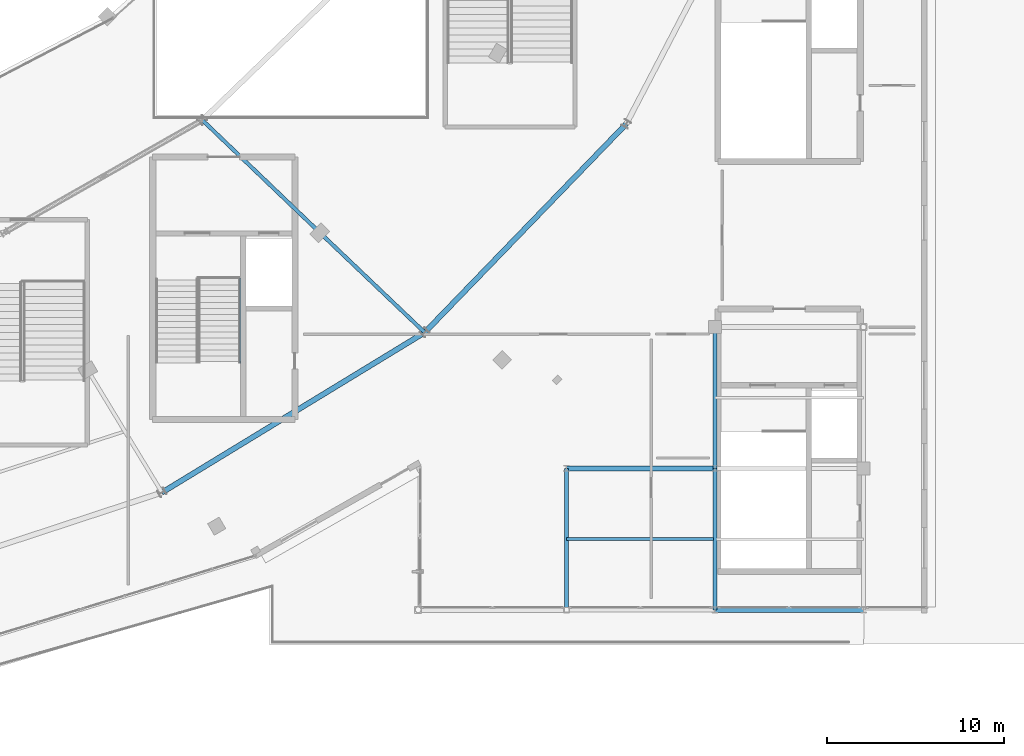
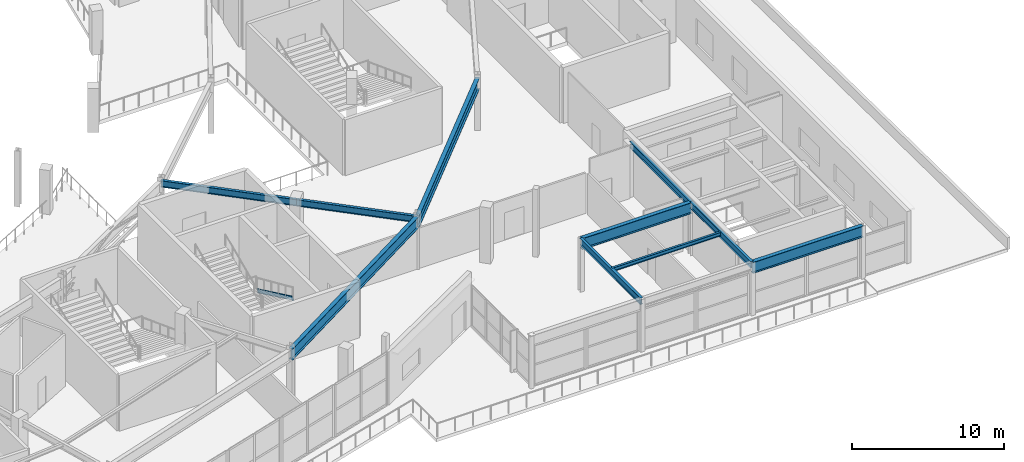
# One storey, part 61 of 123: 10 beams, 1 member.
"""IFC4 building model written with IfcOpenShell, lengths in metres."""

from ifc_helpers import new_model, si_unit, direction, frame, origin, origin_2d, place, context, subcontext, project, spatial, i_section, extrude, material, material_profile, profile_set, type_object, element, save


model = new_model("IFC4")

# Units and contexts
model_context = context("Model", 3, precision=1e-05, world=origin(), true_north=direction((0.0, 1.0)))
body_context = subcontext(model_context, "Body", "Model", "MODEL_VIEW")
ifc_project = project(units=[si_unit("LENGTHUNIT", "METRE"), si_unit("AREAUNIT", "SQUARE_METRE"), si_unit("VOLUMEUNIT", "CUBIC_METRE"), si_unit("PLANEANGLEUNIT", "RADIAN"), si_unit("MASSUNIT", "GRAM", prefix="KILO")], contexts=[model_context])

# Site, building, storey
site_placement = place(None, origin())
site = spatial("IfcSite", under=ifc_project, at=site_placement, CompositionType="ELEMENT")
building_placement = place(site_placement, origin())
building = spatial("IfcBuilding", under=site, at=building_placement, Name="Kalgoora Escarpment Arena", CompositionType="ELEMENT")
storey_placement = place(building_placement, frame((0.0, 0.0, 9.89990234375)))
storey = spatial("IfcBuildingStorey", under=building, at=storey_placement, Name="L02", CompositionType="ELEMENT", Elevation=9.89990234375)

# Beams
ifc_material_1 = material(Name="Structural steel AS/NZS 3679 (300 MPa)", Category="steel")
ifc_material_profile_1 = material_profile(ifc_material_1, i_section(OverallWidth=0.208984375, OverallDepth=0.528076171875, WebThickness=0.009521484375, FlangeThickness=0.01318359375, at=origin_2d()))
ifc_profile_set_1 = profile_set([ifc_material_profile_1], Name="Structural steel AS/NZS 3679 (300 MPa)")
beam_type_1 = type_object("IfcBeamType", Name="BM-GIRDER-530UB82.0", PredefinedType="USERDEFINED", material=ifc_profile_set_1)
for number, where, z_axis, x_axis, name in (
    (1, (151.199951171875, 8.0, 3.99609375), (0.0, 1.0, 0.0), (-1.0, 0.0, 0.0), "L02 Floor girder 530UB82.0"),
    (2, (159.60009765625, 8.0, 3.99609375), (0.0, 1.0, 0.0), (-1.0, 0.0, 0.0), "L02 Floor girder 530UB82.0"),
    (3, (159.60009765625, 16.0, 3.99609375), (0.0, 1.0, 0.0), (-1.0, 0.0, 0.0), "L02 Floor girder 530UB82.0"),
):
    element("IfcBeam", number, at=place(storey_placement, frame(where, z_axis=z_axis, x_axis=x_axis)), inside=storey, type_object=beam_type_1, Name=name, ObjectType="GIRDER", PredefinedType="USERDEFINED", context=body_context, shape_type="SweptSolid", body=[
        extrude(i_section(OverallWidth=0.208984375, OverallDepth=0.528076171875, WebThickness=0.009521484375, FlangeThickness=0.01318359375, at=origin_2d()), origin(), (0.0, 0.0, 1.0), 8.0),
    ])
beam_1_placement = place(storey_placement, frame((130.583740234375, 35.7158203125, 3.916015625), z_axis=(0.722313931554, -0.691565314546, 0.0), x_axis=(0.691565314546, 0.722313931554, 0.0)))
element("IfcBeam", 4, at=beam_1_placement, inside=storey, type_object=beam_type_1, Name="L02 Radial concourse girder 530UB82.0", ObjectType="GIRDER", PredefinedType="USERDEFINED", context=body_context, shape_type="SweptSolid", body=[
    extrude(i_section(OverallWidth=0.208984375, OverallDepth=0.528076171875, WebThickness=0.009521484375, FlangeThickness=0.01318359375, at=origin_2d()), origin(), (0.0, 0.0, 1.0), 9.202392578125),
])
beam_2_placement = place(storey_placement, frame((137.230712890625, 29.351806640625, 3.916015625), z_axis=(0.724130144905, -0.689663347757, 0.0), x_axis=(0.689663347757, 0.724130144905, 0.0)))
element("IfcBeam", 5, at=beam_2_placement, inside=storey, type_object=beam_type_1, Name="L02 Radial concourse girder 530UB82.0", ObjectType="GIRDER", PredefinedType="USERDEFINED", context=body_context, shape_type="SweptSolid", body=[
    extrude(i_section(OverallWidth=0.208984375, OverallDepth=0.528076171875, WebThickness=0.009521484375, FlangeThickness=0.01318359375, at=origin_2d()), origin(), (0.0, 0.0, 1.0), 8.20263671875),
])
ifc_material_2 = material(Name="Structural steel Grade 350 (350 MPa)", Category="steel")
ifc_material_profile_2 = material_profile(ifc_material_2, i_section(OverallWidth=0.300048828125, OverallDepth=0.909912109375, WebThickness=0.011962890625, FlangeThickness=0.028076171875, at=origin_2d()))
ifc_profile_set_2 = profile_set([ifc_material_profile_2], Name="Structural steel Grade 350 (350 MPa)")
beam_type_2 = type_object("IfcBeamType", Name="BM-GIRDER-900WB218", PredefinedType="USERDEFINED", material=ifc_profile_set_2)
beam_3_placement = place(storey_placement, frame((151.199951171875, 16.0, 3.80517578125), z_axis=(1.0, 0.0, 0.0), x_axis=(0.0, 1.0, 0.0)))
element("IfcBeam", 6, at=beam_3_placement, inside=storey, type_object=beam_type_2, Name="L02 Floor girder 900WB218", ObjectType="GIRDER", PredefinedType="USERDEFINED", context=body_context, shape_type="SweptSolid", body=[
    extrude(i_section(OverallWidth=0.300048828125, OverallDepth=0.909912109375, WebThickness=0.011962890625, FlangeThickness=0.028076171875, at=origin_2d()), origin(), (0.0, 0.0, 1.0), 8.400146484375),
])
ifc_material_3 = material(Name="Structural steel AS/NZS 3679 (300 MPa)", Category="steel")
ifc_material_profile_3 = material_profile(ifc_material_3, i_section(OverallWidth=0.166015625, OverallDepth=0.306884765625, WebThickness=0.006591796875, FlangeThickness=0.01171875, at=origin_2d()))
ifc_profile_set_3 = profile_set([ifc_material_profile_3], Name="Structural steel AS/NZS 3679 (300 MPa)")
beam_type_3 = type_object("IfcBeamType", Name="BM-JOIST-310UB46.2", PredefinedType="JOIST", material=ifc_profile_set_3)
beam_4_placement = place(storey_placement, frame((151.199951171875, 12.0, 4.106689453125), z_axis=(1.0, 0.0, 0.0), x_axis=(0.0, 1.0, 0.0)))
element("IfcBeam", 7, at=beam_4_placement, inside=storey, type_object=beam_type_3, Name="L02 Secondary composite floor joist 310UB46.2", PredefinedType="JOIST", context=body_context, shape_type="SweptSolid", body=[
    extrude(i_section(OverallWidth=0.166015625, OverallDepth=0.306884765625, WebThickness=0.006591796875, FlangeThickness=0.01171875, at=origin_2d()), origin(), (0.0, 0.0, 1.0), 8.322021484375),
])
ifc_material_4 = material(Name="Structural steel Grade 350 (350 MPa)", Category="steel")
ifc_material_profile_4 = material_profile(ifc_material_4, i_section(OverallWidth=0.300048828125, OverallDepth=0.909912109375, WebThickness=0.011962890625, FlangeThickness=0.028076171875, at=origin_2d()))
ifc_profile_set_4 = profile_set([ifc_material_profile_4], Name="Structural steel Grade 350 (350 MPa)")
beam_type_4 = type_object("IfcBeamType", Name="BM-SPANDREL-900WB218", PredefinedType="SPANDREL", material=ifc_profile_set_4)
beam_5_placement = place(storey_placement, frame((159.60009765625, 8.0, 3.80517578125), z_axis=(1.0, 0.0, 0.0), x_axis=(0.0, 1.0, 0.0)))
element("IfcBeam", 8, at=beam_5_placement, inside=storey, type_object=beam_type_4, Name="L02 Floor girder 900WB218", PredefinedType="SPANDREL", context=body_context, shape_type="SweptSolid", body=[
    extrude(i_section(OverallWidth=0.300048828125, OverallDepth=0.909912109375, WebThickness=0.011962890625, FlangeThickness=0.028076171875, at=origin_2d()), origin(), (0.0, 0.0, 1.0), 8.39990234375),
])
beam_6_placement = place(storey_placement, frame((128.300048828125, 14.63671875, 3.72509765625), z_axis=(0.854030640858, 0.520222706613, 0.0), x_axis=(-0.520222706613, 0.854030640858, 0.0)))
element("IfcBeam", 9, at=beam_6_placement, inside=storey, type_object=beam_type_4, Name="L02 Circumferential concourse girder RCONC2 900WB218", PredefinedType="SPANDREL", context=body_context, shape_type="SweptSolid", body=[
    extrude(i_section(OverallWidth=0.300048828125, OverallDepth=0.909912109375, WebThickness=0.011962890625, FlangeThickness=0.028076171875, at=origin_2d()), origin(), (0.0, 0.0, 1.0), 17.411865234375),
])
beam_7_placement = place(storey_placement, frame((143.17041015625, 23.69482421875, 3.72509765625), z_axis=(0.694974435465, 0.719034445663, 0.0), x_axis=(-0.719034445663, 0.694974435465, 0.0)))
element("IfcBeam", 10, at=beam_7_placement, inside=storey, type_object=beam_type_4, Name="L02 Circumferential concourse girder RCONC2 900WB218", PredefinedType="SPANDREL", context=body_context, shape_type="SweptSolid", body=[
    extrude(i_section(OverallWidth=0.300048828125, OverallDepth=0.909912109375, WebThickness=0.011962890625, FlangeThickness=0.028076171875, at=origin_2d()), origin(), (0.0, 0.0, 1.0), 16.418212890625),
])

# Member
ifc_material_5 = material(Name="Structural steel AS/NZS 3679 (300 MPa)", Category="steel")
ifc_material_profile_5 = material_profile(ifc_material_5, i_section(OverallWidth=0.090087890625, OverallDepth=0.300048828125, WebThickness=0.008056640625, FlangeThickness=0.01611328125, at=origin_2d()))
ifc_profile_set_5 = profile_set([ifc_material_profile_5], Name="Structural steel AS/NZS 3679 (300 MPa)")
member_type = type_object("IfcMemberType", Name="MEM-STRINGER-PFC", PredefinedType="STRINGER", material=ifc_profile_set_5)
member_placement = place(storey_placement, frame((132.72998046875, 26.7099609375, -0.039794921875), z_axis=(0.0, -0.902682652253, 0.430306901317), x_axis=(1.0, 0.0, 0.0)))
element("IfcMember", 11, at=member_placement, inside=storey, type_object=member_type, Name="ST06 L02 steel stair stringer 1", PredefinedType="STRINGER", context=body_context, shape_type="SweptSolid", body=[
    extrude(i_section(OverallWidth=0.090087890625, OverallDepth=0.300048828125, WebThickness=0.008056640625, FlangeThickness=0.01611328125, at=origin_2d()), origin(), (0.0, 0.0, 1.0), 5.228759765625),
])

save(model, "model.ifc")
